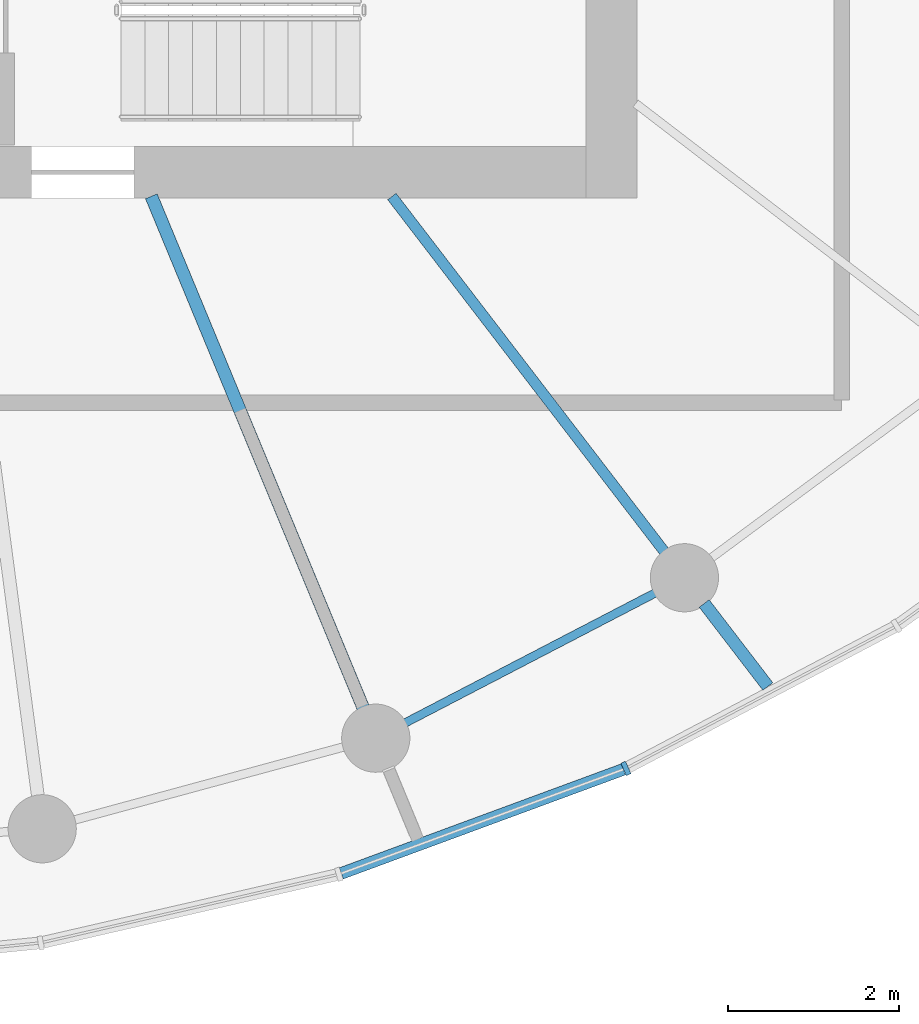
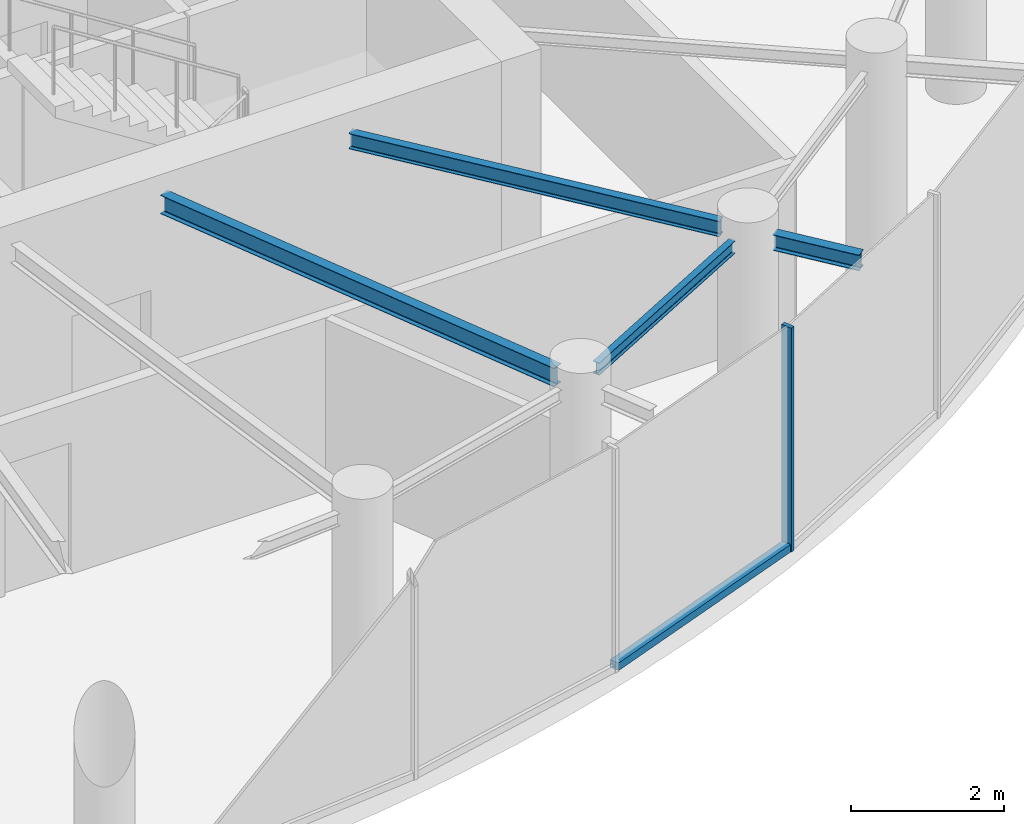
# One storey, part 3 of 13: 4 beams, 2 members, 1 element without a shape of its own.
"""IFC4 building model written with IfcOpenShell, lengths in metres."""

from ifc_helpers import new_model, si_unit, direction, frame, origin, origin_2d, place, context, subcontext, project, spatial, rectangle, i_section, extrude, source, transform, mapped, material, layer, layer_set, material_profile, profile_set, type_object, element, aggregate, save


model = new_model("IFC4")

# Units and contexts
model_context = context("Model", 3, precision=1e-05, world=origin(), true_north=direction((0.0, 1.0)))
body_context = subcontext(model_context, "Body", "Model", "MODEL_VIEW")
ifc_project = project(units=[si_unit("LENGTHUNIT", "METRE"), si_unit("AREAUNIT", "SQUARE_METRE"), si_unit("VOLUMEUNIT", "CUBIC_METRE"), si_unit("PLANEANGLEUNIT", "RADIAN"), si_unit("MASSUNIT", "GRAM", prefix="KILO")], contexts=[model_context])

# Site, building, storey
site_placement = place(None, origin())
site = spatial("IfcSite", under=ifc_project, at=site_placement, CompositionType="ELEMENT")
building_placement = place(site_placement, origin())
building = spatial("IfcBuilding", under=site, at=building_placement, Name="Spindrift Exchange Tower", CompositionType="ELEMENT")
storey_placement = place(building_placement, frame((0.0, 0.0, 261.800048828125)))
storey = spatial("IfcBuildingStorey", under=building, at=storey_placement, Name="L64", CompositionType="ELEMENT", Elevation=261.800048828125)

# Beams
ifc_material_1 = material(Name="Steel Grade 300", Category="steel")
ifc_material_profile_1 = material_profile(ifc_material_1, i_section(OverallWidth=0.14892578125, OverallDepth=0.298095703125, WebThickness=0.005615234375, FlangeThickness=0.008056640625, FilletRadius=0.012939453125, at=origin_2d()), Name="310UB32.0")
ifc_profile_set_1 = profile_set([ifc_material_profile_1], Name="Steel Grade 300")
beam_type_1 = type_object("IfcBeamType", Name="Floor Beam 310UB32.0 Steel Grade 300", PredefinedType="BEAM", material=ifc_profile_set_1)
shared_shape_1 = source(origin(), body_context, "Body", "SweptSolid", [
    extrude(i_section(OverallWidth=0.14892578125, OverallDepth=0.298095703125, WebThickness=0.005615234375, FlangeThickness=0.008056640625, FilletRadius=0.012939453125, at=origin_2d()), origin(), (0.0, 0.0, 1.0), 6.495849609375),
])
beam_1_placement = place(storey_placement, frame((55.30615234375, 40.0185546875, 3.430908203125), z_axis=(0.382677087308, -0.923882160695, 0.0), x_axis=(0.923882160695, 0.382677087308, 0.0)))
element("IfcBeam", 1, at=beam_1_placement, inside=storey, type_object=beam_type_1, Name="L64 radial beam R20A", PredefinedType="BEAM", context=body_context, shape_type="MappedRepresentation", body=[
    mapped(shared_shape_1, transform((0.0, 0.0, 0.0), scale=1.0)),
])
ifc_material_profile_2 = material_profile(ifc_material_1, i_section(OverallWidth=0.1240234375, OverallDepth=0.248046875, WebThickness=0.0048828125, FlangeThickness=0.008056640625, FilletRadius=0.011962890625, at=origin_2d()), Name="250UB25.7")
ifc_profile_set_2 = profile_set([ifc_material_profile_2], Name="Steel Grade 300")
beam_type_2 = type_object("IfcBeamType", Name="Floor Beam 250UB25.7 Steel Grade 300", PredefinedType="BEAM", material=ifc_profile_set_2)
shared_shape_2 = source(origin(), body_context, "Body", "SweptSolid", [
    extrude(i_section(OverallWidth=0.1240234375, OverallDepth=0.248046875, WebThickness=0.0048828125, FlangeThickness=0.008056640625, FilletRadius=0.011962890625, at=origin_2d()), origin(), (0.0, 0.0, 1.0), 5.25341796875),
])
beam_2_placement = place(storey_placement, frame((58.12646484375, 40.015869140625, 3.4560546875), z_axis=(0.608760287872, -0.793354215915, 0.0), x_axis=(0.793354215915, 0.608760287872, 0.0)))
element("IfcBeam", 2, at=beam_2_placement, inside=storey, type_object=beam_type_2, Name="L64 radial beam R21A", PredefinedType="BEAM", context=body_context, shape_type="MappedRepresentation", body=[
    mapped(shared_shape_2, transform((0.0, 0.0, 0.0), scale=1.0)),
])
ifc_material_profile_3 = material_profile(ifc_material_1, i_section(OverallWidth=0.09912109375, OverallDepth=0.197998046875, WebThickness=0.00439453125, FlangeThickness=0.007080078125, FilletRadius=0.010986328125, at=origin_2d()), Name="200UB18.2")
ifc_profile_set_3 = profile_set([ifc_material_profile_3], Name="Steel Grade 300")
beam_type_3 = type_object("IfcBeamType", Name="Edge Beam 200UB18.2 Steel Grade 300", PredefinedType="SPANDREL", material=ifc_profile_set_3)
shared_shape_3 = source(origin(), body_context, "Body", "SweptSolid", [
    extrude(i_section(OverallWidth=0.09912109375, OverallDepth=0.197998046875, WebThickness=0.00439453125, FlangeThickness=0.007080078125, FilletRadius=0.010986328125, at=origin_2d()), origin(), (0.0, 0.0, 1.0), 3.31787109375),
])
beam_3_placement = place(storey_placement, frame((58.2744140625, 33.84130859375, 3.48095703125), z_axis=(0.887327612278, 0.46113957593, 0.0), x_axis=(-0.46113957593, 0.887327612278, 0.0)))
element("IfcBeam", 3, at=beam_3_placement, inside=storey, type_object=beam_type_3, Name="L64 edge beam E20", PredefinedType="SPANDREL", context=body_context, shape_type="MappedRepresentation", body=[
    mapped(shared_shape_3, transform((0.0, 0.0, 0.0), scale=1.0)),
])
ifc_material_profile_4 = material_profile(ifc_material_1, i_section(OverallWidth=0.14599609375, OverallDepth=0.251953125, WebThickness=0.006103515625, FlangeThickness=0.008544921875, FilletRadius=0.011962890625, at=origin_2d()), Name="250UB31.4")
ifc_profile_set_4 = profile_set([ifc_material_profile_4], Name="Steel Grade 300")
beam_type_4 = type_object("IfcBeamType", Name="Cantilever Beam 250UB31.4 Steel Grade 300", PredefinedType="BEAM", material=ifc_profile_set_4)
shared_shape_4 = source(origin(), body_context, "Body", "SweptSolid", [
    extrude(i_section(OverallWidth=0.14599609375, OverallDepth=0.251953125, WebThickness=0.006103515625, FlangeThickness=0.008544921875, FilletRadius=0.011962890625, at=origin_2d()), origin(), (0.0, 0.0, 1.0), 1.2265625),
])
beam_4_placement = place(storey_placement, frame((61.787109375, 35.245361328125, 3.453857421875), z_axis=(0.608690594776, -0.793407688286, 0.0), x_axis=(0.793407688286, 0.608690594776, 0.0)))
element("IfcBeam", 4, at=beam_4_placement, inside=storey, type_object=beam_type_4, Name="L64 cantilever beam R21T", PredefinedType="BEAM", context=body_context, shape_type="MappedRepresentation", body=[
    mapped(shared_shape_4, transform((0.0, 0.0, 0.0), scale=1.0)),
])

# Curtain wall, members
ifc_material_2 = material(Name="Fritted laminated glass with bronze frame", Category="glass")
ifc_layer = layer(ifc_material_2, 0.159912109375)
ifc_layer_set = layer_set([ifc_layer], Name="ZONE 5 BRONZE FRITTED WALL")
curtain_wall_type = type_object("IfcCurtainWallType", Name="ZONE 5 BRONZE FRITTED WALL", PredefinedType="NOTDEFINED", material=ifc_layer_set)
curtain_wall_placement = place(storey_placement, origin())
curtain_wall = element("IfcCurtainWall", 5, at=curtain_wall_placement, inside=storey, type_object=curtain_wall_type, Name="L64 Zone 5 Bronze Fritted Wall run 5", PredefinedType="NOTDEFINED")
ifc_material_3 = material(Name="Bronze anodised aluminium", Category="aluminium")
ifc_material_profile_5 = material_profile(ifc_material_3, rectangle(XDim=0.139892578125, YDim=0.1201171875, at=origin_2d()), Name="ZONE 5 BRONZE FRITTED WALL TRANSOM 140X120")
ifc_profile_set_5 = profile_set([ifc_material_profile_5], Name="Bronze anodised aluminium")
member_type_1 = type_object("IfcMemberType", Name="ZONE 5 BRONZE FRITTED WALL TRANSOM 140X120", PredefinedType="USERDEFINED", material=ifc_profile_set_5)
shared_shape_5 = source(origin(), body_context, "Body", "SweptSolid", [
    extrude(rectangle(XDim=0.139892578125, YDim=0.1201171875, at=origin_2d()), origin(), (0.0, 0.0, 1.0), 3.526123046875),
])
member_1_placement = place(storey_placement, frame((57.53271484375, 32.08056640625, 0.06005859375), z_axis=(0.938241414891, 0.34598128184, 0.0), x_axis=(-0.34598128184, 0.938241414891, 0.0)))
member_1 = element("IfcMember", 6, at=member_1_placement, type_object=member_type_1, Name="L64 transom CW-5.27", ObjectType="TRANSOM", PredefinedType="USERDEFINED", context=body_context, shape_type="MappedRepresentation", body=[
    mapped(shared_shape_5, transform((0.0, 0.0, 0.0), scale=1.0)),
])
ifc_material_profile_6 = material_profile(ifc_material_3, rectangle(XDim=0.06005859375, YDim=0.159912109375, at=origin_2d()), Name="ZONE 5 BRONZE FRITTED WALL MULLION 60X160")
ifc_profile_set_6 = profile_set([ifc_material_profile_6], Name="Bronze anodised aluminium")
member_type_2 = type_object("IfcMemberType", Name="ZONE 5 BRONZE FRITTED WALL MULLION 60X160", PredefinedType="MULLION", material=ifc_profile_set_6)
shared_shape_6 = source(origin(), body_context, "Body", "SweptSolid", [
    extrude(rectangle(XDim=0.06005859375, YDim=0.159912109375, at=origin_2d()), origin(), (0.0, 0.0, 1.0), 3.579833984375),
])
member_2_placement = place(storey_placement, frame((60.869384765625, 33.310791015625, 0.0), z_axis=(0.0, 0.0, 1.0), x_axis=(0.913496373665, 0.406846869598, 0.0)))
member_2 = element("IfcMember", 7, at=member_2_placement, type_object=member_type_2, Name="L64 mullion CW-5.28", PredefinedType="MULLION", context=body_context, shape_type="MappedRepresentation", body=[
    mapped(shared_shape_6, transform((0.0, 0.0, 0.0), scale=1.0)),
])
aggregate(curtain_wall, [member_1, member_2])

save(model, "model.ifc")
